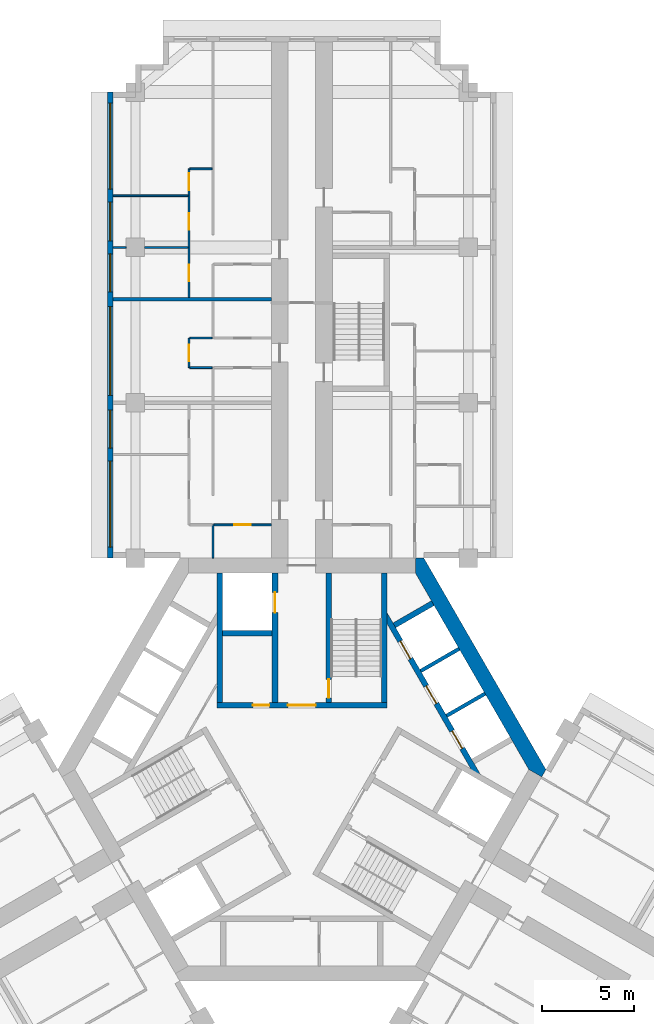
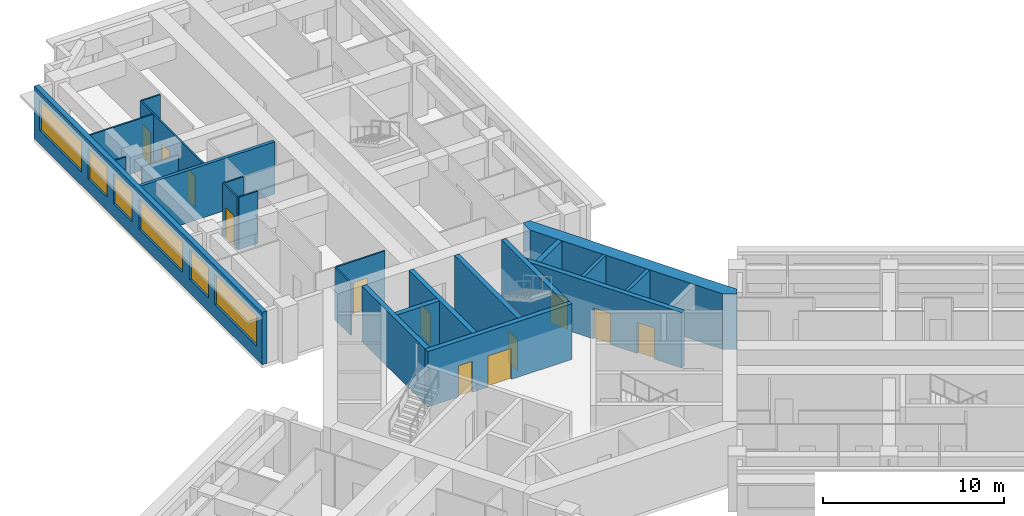
# One storey, part 8 of 14: 23 walls, 12 doors, 6 windows, 18 openings.
"""IFC4 building model written with IfcOpenShell, lengths in metres."""

from ifc_helpers import new_model, si_unit, direction, frame, frame_2d, origin, place, context, subcontext, project, spatial, polyline, rectangle, outline, extrude, material, layer, layer_set, type_object, element, fill, save


model = new_model("IFC4")

# Units and contexts
model_context = context("Model", 3, precision=1e-05, world=origin(), true_north=direction((0.0, 1.0)))
body_context = subcontext(model_context, "Body", "Model", "MODEL_VIEW")
ifc_project = project(units=[si_unit("LENGTHUNIT", "METRE"), si_unit("AREAUNIT", "SQUARE_METRE"), si_unit("VOLUMEUNIT", "CUBIC_METRE"), si_unit("PLANEANGLEUNIT", "RADIAN"), si_unit("MASSUNIT", "GRAM", prefix="KILO")], contexts=[model_context])

# Site, building, storey
site_placement = place(None, origin())
site = spatial("IfcSite", under=ifc_project, at=site_placement, CompositionType="ELEMENT")
building_placement = place(site_placement, origin())
building = spatial("IfcBuilding", under=site, at=building_placement, Name="Impinga Residences", CompositionType="ELEMENT")
storey_placement = place(building_placement, frame((0.0, 0.0, 147.25)))
storey = spatial("IfcBuildingStorey", under=building, at=storey_placement, Name="L36", CompositionType="ELEMENT", Elevation=147.25)

# Wall, openings, windows
ifc_material_1 = material(Name="Terracotta rainscreen on blockwork", Category="masonry")
ifc_layer_1 = layer(ifc_material_1, 0.300048828125)
ifc_layer_set_1 = layer_set([ifc_layer_1], Name="EW1 external wall, terracotta rainscreen on blockwork 300")
wall_type_1 = type_object("IfcWallType", Name="EW1 external wall, terracotta rainscreen on blockwork 300", PredefinedType="SOLIDWALL", material=ifc_layer_set_1)
wall_1_placement = place(storey_placement, frame((-10.35009765625, 11.431640625, 0.0), z_axis=(0.0, 0.0, 1.0), x_axis=(0.0, 1.0, 0.0)))
wall_1 = element("IfcWall", 1, at=wall_1_placement, inside=storey, type_object=wall_type_1, Name="External wall EW1 L36", PredefinedType="SOLIDWALL", context=body_context, shape_type="SweptSolid", body=[
    extrude(rectangle(XDim=25.199951171875, YDim=0.300048828125, at=frame_2d((12.60009765625, 0.0))), origin(), (0.0, 0.0, 1.0), 3.530029296875),
])
opening_1_placement = place(wall_1_placement, frame((0.60009765625, 0.0, 0.89990234375)))
opening_1 = element("IfcOpeningElement", 2, at=opening_1_placement, cuts=wall_1, Name="Opening W10", PredefinedType="OPENING", context=body_context, shape_type="SweptSolid", body=[
    extrude(rectangle(XDim=4.64990234375, YDim=2.050048828125, at=frame_2d((2.324951171875, 1.02490234375))), frame((0.0, 0.159912109375, 0.0), z_axis=(0.0, -1.0, 0.0), x_axis=(1.0, 0.0, 0.0)), (0.0, 0.0, 1.0), 0.320068359375),
])
opening_2_placement = place(wall_1_placement, frame((5.949951171875, 0.0, 0.89990234375)))
opening_2 = element("IfcOpeningElement", 3, at=opening_2_placement, cuts=wall_1, Name="Opening W14", PredefinedType="OPENING", context=body_context, shape_type="SweptSolid", body=[
    extrude(rectangle(XDim=2.050048828125, YDim=2.050048828125, at=frame_2d((1.02490234375, 1.02490234375))), frame((0.0, 0.159912109375, 0.0), z_axis=(0.0, -1.0, 0.0), x_axis=(1.0, 0.0, 0.0)), (0.0, 0.0, 1.0), 0.320068359375),
])
opening_3_placement = place(wall_1_placement, frame((8.800048828125, 0.0, 0.89990234375)))
opening_3 = element("IfcOpeningElement", 4, at=opening_3_placement, cuts=wall_1, Name="Opening W8", PredefinedType="OPENING", context=body_context, shape_type="SweptSolid", body=[
    extrude(rectangle(XDim=4.800048828125, YDim=2.050048828125, at=frame_2d((2.39990234375, 1.02490234375))), frame((0.0, 0.159912109375, 0.0), z_axis=(0.0, -1.0, 0.0), x_axis=(1.0, 0.0, 0.0)), (0.0, 0.0, 1.0), 0.320068359375),
])
opening_4_placement = place(wall_1_placement, frame((14.39990234375, 0.0, 0.89990234375)))
opening_4 = element("IfcOpeningElement", 5, at=opening_4_placement, cuts=wall_1, Name="Opening W14", PredefinedType="OPENING", context=body_context, shape_type="SweptSolid", body=[
    extrude(rectangle(XDim=2.050048828125, YDim=2.050048828125, at=frame_2d((1.02490234375, 1.02490234375))), frame((0.0, 0.159912109375, 0.0), z_axis=(0.0, -1.0, 0.0), x_axis=(1.0, 0.0, 0.0)), (0.0, 0.0, 1.0), 0.320068359375),
])
opening_5_placement = place(wall_1_placement, frame((17.14990234375, 0.0, 0.89990234375)))
opening_5 = element("IfcOpeningElement", 6, at=opening_5_placement, cuts=wall_1, Name="Opening W9", PredefinedType="OPENING", context=body_context, shape_type="SweptSolid", body=[
    extrude(rectangle(XDim=2.10009765625, YDim=2.050048828125, at=frame_2d((1.050048828125, 1.02490234375))), frame((0.0, 0.159912109375, 0.0), z_axis=(0.0, -1.0, 0.0), x_axis=(1.0, 0.0, 0.0)), (0.0, 0.0, 1.0), 0.320068359375),
])
opening_6_placement = place(wall_1_placement, frame((19.949951171875, 0.0, 0.89990234375)))
opening_6 = element("IfcOpeningElement", 7, at=opening_6_placement, cuts=wall_1, Name="Opening W10", PredefinedType="OPENING", context=body_context, shape_type="SweptSolid", body=[
    extrude(rectangle(XDim=4.64990234375, YDim=2.050048828125, at=frame_2d((2.324951171875, 1.02490234375))), frame((0.0, 0.159912109375, 0.0), z_axis=(0.0, -1.0, 0.0), x_axis=(1.0, 0.0, 0.0)), (0.0, 0.0, 1.0), 0.320068359375),
])
ifc_material_2 = material(Name="Aluminium window, clear double glazing", Category="aluminium")
window_type_1 = type_object("IfcWindowType", Name="W10 ribbon window 4650x2050", PartitioningType="SINGLE_PANEL", PredefinedType="WINDOW", material=ifc_material_2)
window_1_placement = place(opening_1_placement, origin())
window_1 = element("IfcWindow", 8, at=window_1_placement, inside=storey, type_object=window_type_1, Name="Window L36", OverallHeight=2.050048828125, OverallWidth=4.64990234375, PartitioningType="SINGLE_PANEL", PredefinedType="WINDOW", context=body_context, shape_type="SweptSolid", body=[
    extrude(rectangle(XDim=4.64990234375, YDim=2.050048828125, at=frame_2d((2.324951171875, 1.02490234375))), frame((0.0, 0.030029296875, 0.0), z_axis=(0.0, -1.0, 0.0), x_axis=(1.0, 0.0, 0.0)), (0.0, 0.0, 1.0), 0.06005859375),
])
fill(opening_1, window_1)
window_2_placement = place(opening_6_placement, origin())
window_2 = element("IfcWindow", 9, at=window_2_placement, inside=storey, type_object=window_type_1, Name="Window L36", OverallHeight=2.050048828125, OverallWidth=4.64990234375, PartitioningType="SINGLE_PANEL", PredefinedType="WINDOW", context=body_context, shape_type="SweptSolid", body=[
    extrude(rectangle(XDim=4.64990234375, YDim=2.050048828125, at=frame_2d((2.324951171875, 1.02490234375))), frame((0.0, 0.030029296875, 0.0), z_axis=(0.0, -1.0, 0.0), x_axis=(1.0, 0.0, 0.0)), (0.0, 0.0, 1.0), 0.06005859375),
])
fill(opening_6, window_2)
window_type_2 = type_object("IfcWindowType", Name="W14 ribbon window 2050x2050", PartitioningType="SINGLE_PANEL", PredefinedType="WINDOW", material=ifc_material_2)
window_3_placement = place(opening_2_placement, origin())
window_3 = element("IfcWindow", 10, at=window_3_placement, inside=storey, type_object=window_type_2, Name="Window L36", OverallHeight=2.050048828125, OverallWidth=2.050048828125, PartitioningType="SINGLE_PANEL", PredefinedType="WINDOW", context=body_context, shape_type="SweptSolid", body=[
    extrude(rectangle(XDim=2.050048828125, YDim=2.050048828125, at=frame_2d((1.02490234375, 1.02490234375))), frame((0.0, 0.030029296875, 0.0), z_axis=(0.0, -1.0, 0.0), x_axis=(1.0, 0.0, 0.0)), (0.0, 0.0, 1.0), 0.06005859375),
])
fill(opening_2, window_3)
window_4_placement = place(opening_4_placement, origin())
window_4 = element("IfcWindow", 11, at=window_4_placement, inside=storey, type_object=window_type_2, Name="Window L36", OverallHeight=2.050048828125, OverallWidth=2.050048828125, PartitioningType="SINGLE_PANEL", PredefinedType="WINDOW", context=body_context, shape_type="SweptSolid", body=[
    extrude(rectangle(XDim=2.050048828125, YDim=2.050048828125, at=frame_2d((1.02490234375, 1.02490234375))), frame((0.0, 0.030029296875, 0.0), z_axis=(0.0, -1.0, 0.0), x_axis=(1.0, 0.0, 0.0)), (0.0, 0.0, 1.0), 0.06005859375),
])
fill(opening_4, window_4)
window_type_3 = type_object("IfcWindowType", Name="W8 ribbon window 4800x2050", PartitioningType="SINGLE_PANEL", PredefinedType="WINDOW", material=ifc_material_2)
window_5_placement = place(opening_3_placement, origin())
window_5 = element("IfcWindow", 12, at=window_5_placement, inside=storey, type_object=window_type_3, Name="Window L36", OverallHeight=2.050048828125, OverallWidth=4.800048828125, PartitioningType="SINGLE_PANEL", PredefinedType="WINDOW", context=body_context, shape_type="SweptSolid", body=[
    extrude(rectangle(XDim=4.800048828125, YDim=2.050048828125, at=frame_2d((2.39990234375, 1.02490234375))), frame((0.0, 0.030029296875, 0.0), z_axis=(0.0, -1.0, 0.0), x_axis=(1.0, 0.0, 0.0)), (0.0, 0.0, 1.0), 0.06005859375),
])
fill(opening_3, window_5)
window_type_4 = type_object("IfcWindowType", Name="W9 ribbon window 2100x2050", PartitioningType="SINGLE_PANEL", PredefinedType="WINDOW", material=ifc_material_2)
window_6_placement = place(opening_5_placement, origin())
window_6 = element("IfcWindow", 13, at=window_6_placement, inside=storey, type_object=window_type_4, Name="Window L36", OverallHeight=2.050048828125, OverallWidth=2.10009765625, PartitioningType="SINGLE_PANEL", PredefinedType="WINDOW", context=body_context, shape_type="SweptSolid", body=[
    extrude(rectangle(XDim=2.10009765625, YDim=2.050048828125, at=frame_2d((1.050048828125, 1.02490234375))), frame((0.0, 0.030029296875, 0.0), z_axis=(0.0, -1.0, 0.0), x_axis=(1.0, 0.0, 0.0)), (0.0, 0.0, 1.0), 0.06005859375),
])
fill(opening_5, window_6)

# Wall
ifc_material_3 = material(Name="Gypsum board on steel studs", Category="steel")
ifc_layer_2 = layer(ifc_material_3, 0.10009765625)
ifc_layer_set_2 = layer_set([ifc_layer_2], Name="Gypsum board on steel studs")
wall_type_2 = type_object("IfcWallType", Name="IP1 partition 100", PredefinedType="PARTITIONING", material=ifc_layer_set_2)
wall_2_placement = place(storey_placement, frame((-4.800048828125, 11.431640625, 0.0), z_axis=(0.0, 0.0, 1.0), x_axis=(0.0, 1.0, 0.0)))
element("IfcWall", 14, at=wall_2_placement, inside=storey, type_object=wall_type_2, Name="Partition L36-NA1:DIV0", PredefinedType="PARTITIONING", context=body_context, shape_type="SweptSolid", body=[
    extrude(rectangle(XDim=1.7998046875, YDim=0.10009765625, at=frame_2d((0.89990234375, 0.0))), origin(), (0.0, 0.0, 1.0), 3.530029296875),
])

# Wall, opening, door
wall_3_placement = place(storey_placement, frame((-1.64990234375, 13.2314453125, 0.0), z_axis=(0.0, 0.0, 1.0), x_axis=(-1.0, 0.0, 0.0)))
wall_3 = element("IfcWall", 15, at=wall_3_placement, inside=storey, type_object=wall_type_2, Name="Partition L36-NA1:IB1", PredefinedType="PARTITIONING", context=body_context, shape_type="SweptSolid", body=[
    extrude(rectangle(XDim=3.10009765625, YDim=0.10009765625, at=frame_2d((1.550048828125, 0.0))), origin(), (0.0, 0.0, 1.0), 3.530029296875),
])
opening_7_placement = place(wall_3_placement, frame((1.10009765625, 0.0, 0.0)))
opening_7 = element("IfcOpeningElement", 16, at=opening_7_placement, cuts=wall_3, Name="Opening D2", PredefinedType="OPENING", context=body_context, shape_type="SweptSolid", body=[
    extrude(rectangle(XDim=0.89990234375, YDim=2.10009765625, at=frame_2d((0.449951171875, 1.050048828125))), frame((0.0, 0.06005859375, 0.0), z_axis=(0.0, -1.0, 0.0), x_axis=(1.0, 0.0, 0.0)), (0.0, 0.0, 1.0), 0.1201171875),
])
ifc_material_4 = material(Name="Timber door set", Category="wood")
door_type_1 = type_object("IfcDoorType", Name="D2 internal door 900x2100", OperationType="SINGLE_SWING_LEFT", PredefinedType="DOOR", material=ifc_material_4)
door_1_placement = place(opening_7_placement, origin())
door_1 = element("IfcDoor", 17, at=door_1_placement, inside=storey, type_object=door_type_1, Name="Apartment L36-NA1 bathroom door", OperationType="SINGLE_SWING_LEFT", OverallHeight=2.10009765625, OverallWidth=0.89990234375, PredefinedType="DOOR", context=body_context, shape_type="SweptSolid", body=[
    extrude(rectangle(XDim=0.89990234375, YDim=2.10009765625, at=frame_2d((0.449951171875, 1.050048828125))), frame((0.0, 0.02490234375, 0.0), z_axis=(0.0, -1.0, 0.0), x_axis=(1.0, 0.0, 0.0)), (0.0, 0.0, 1.0), 0.050048828125),
])
fill(opening_7, door_1)

wall_4_placement = place(storey_placement, frame((-6.10009765625, 21.7314453125, 0.0), z_axis=(0.0, 0.0, 1.0), x_axis=(0.0, 1.0, 0.0)))
wall_4 = element("IfcWall", 18, at=wall_4_placement, inside=storey, type_object=wall_type_2, Name="Partition L36-NA2:STRIP", PredefinedType="PARTITIONING", context=body_context, shape_type="SweptSolid", body=[
    extrude(rectangle(XDim=1.60009765625, YDim=0.10009765625, at=frame_2d((0.800048828125, 0.0))), origin(), (0.0, 0.0, 1.0), 3.530029296875),
])
opening_8_placement = place(wall_4_placement, frame((0.35009765625, 0.0, 0.0)))
opening_8 = element("IfcOpeningElement", 19, at=opening_8_placement, cuts=wall_4, Name="Opening D2", PredefinedType="OPENING", context=body_context, shape_type="SweptSolid", body=[
    extrude(rectangle(XDim=0.89990234375, YDim=2.10009765625, at=frame_2d((0.449951171875, 1.050048828125))), frame((0.0, 0.06005859375, 0.0), z_axis=(0.0, -1.0, 0.0), x_axis=(1.0, 0.0, 0.0)), (0.0, 0.0, 1.0), 0.1201171875),
])
door_2_placement = place(opening_8_placement, origin())
door_2 = element("IfcDoor", 20, at=door_2_placement, inside=storey, type_object=door_type_1, Name="Apartment L36-NA2 room door", OperationType="SINGLE_SWING_LEFT", OverallHeight=2.10009765625, OverallWidth=0.89990234375, PredefinedType="DOOR", context=body_context, shape_type="SweptSolid", body=[
    extrude(rectangle(XDim=0.89990234375, YDim=2.10009765625, at=frame_2d((0.449951171875, 1.050048828125))), frame((0.0, 0.02490234375, 0.0), z_axis=(0.0, -1.0, 0.0), x_axis=(1.0, 0.0, 0.0)), (0.0, 0.0, 1.0), 0.050048828125),
])
fill(opening_8, door_2)

# Walls
for number, where, z_axis, x_axis, name in (
    (21, (-4.85009765625, 21.7314453125, 0.0), (0.0, 0.0, 1.0), (-1.0, 0.0, 0.0), "Partition L36-NA2:SE0"),
    (22, (-4.85009765625, 23.33154296875, 0.0), (0.0, 0.0, 1.0), (-1.0, 0.0, 0.0), "Partition L36-NA2:SE1"),
):
    element("IfcWall", number, at=place(storey_placement, frame(where, z_axis=z_axis, x_axis=x_axis)), inside=storey, type_object=wall_type_2, Name=name, PredefinedType="PARTITIONING", context=body_context, shape_type="SweptSolid", body=[
        extrude(rectangle(XDim=1.199951171875, YDim=0.10009765625, at=frame_2d((0.60009765625, 0.0))), origin(), (0.0, 0.0, 1.0), 3.530029296875),
    ])

# Wall, openings, doors
wall_5_placement = place(storey_placement, frame((-6.10009765625, 25.531494140625, 0.0), z_axis=(0.0, 0.0, 1.0), x_axis=(0.0, 1.0, 0.0)))
wall_5 = element("IfcWall", 23, at=wall_5_placement, inside=storey, type_object=wall_type_2, Name="Partition L36-NA3:STRIP", PredefinedType="PARTITIONING", context=body_context, shape_type="SweptSolid", body=[
    extrude(rectangle(XDim=6.949951171875, YDim=0.10009765625, at=frame_2d((3.47509765625, 0.0))), origin(), (0.0, 0.0, 1.0), 3.530029296875),
])
opening_9_placement = place(wall_5_placement, frame((0.875, 0.0, 0.0)))
opening_9 = element("IfcOpeningElement", 24, at=opening_9_placement, cuts=wall_5, Name="Opening D2", PredefinedType="OPENING", context=body_context, shape_type="SweptSolid", body=[
    extrude(rectangle(XDim=0.89990234375, YDim=2.10009765625, at=frame_2d((0.449951171875, 1.050048828125))), frame((0.0, 0.06005859375, 0.0), z_axis=(0.0, -1.0, 0.0), x_axis=(1.0, 0.0, 0.0)), (0.0, 0.0, 1.0), 0.1201171875),
])
opening_10_placement = place(wall_5_placement, frame((3.64990234375, 0.0, 0.0)))
opening_10 = element("IfcOpeningElement", 25, at=opening_10_placement, cuts=wall_5, Name="Opening D2", PredefinedType="OPENING", context=body_context, shape_type="SweptSolid", body=[
    extrude(rectangle(XDim=0.89990234375, YDim=2.10009765625, at=frame_2d((0.449951171875, 1.050048828125))), frame((0.0, 0.06005859375, 0.0), z_axis=(0.0, -1.0, 0.0), x_axis=(1.0, 0.0, 0.0)), (0.0, 0.0, 1.0), 0.1201171875),
])
opening_11_placement = place(wall_5_placement, frame((5.800048828125, 0.0, 0.0)))
opening_11 = element("IfcOpeningElement", 26, at=opening_11_placement, cuts=wall_5, Name="Opening D2", PredefinedType="OPENING", context=body_context, shape_type="SweptSolid", body=[
    extrude(rectangle(XDim=0.89990234375, YDim=2.10009765625, at=frame_2d((0.449951171875, 1.050048828125))), frame((0.0, 0.06005859375, 0.0), z_axis=(0.0, -1.0, 0.0), x_axis=(1.0, 0.0, 0.0)), (0.0, 0.0, 1.0), 0.1201171875),
])
door_3_placement = place(opening_9_placement, origin())
door_3 = element("IfcDoor", 27, at=door_3_placement, inside=storey, type_object=door_type_1, Name="Apartment L36-NA3 room door", OperationType="SINGLE_SWING_LEFT", OverallHeight=2.10009765625, OverallWidth=0.89990234375, PredefinedType="DOOR", context=body_context, shape_type="SweptSolid", body=[
    extrude(rectangle(XDim=0.89990234375, YDim=2.10009765625, at=frame_2d((0.449951171875, 1.050048828125))), frame((0.0, 0.02490234375, 0.0), z_axis=(0.0, -1.0, 0.0), x_axis=(1.0, 0.0, 0.0)), (0.0, 0.0, 1.0), 0.050048828125),
])
fill(opening_9, door_3)
door_4_placement = place(opening_10_placement, origin())
door_4 = element("IfcDoor", 28, at=door_4_placement, inside=storey, type_object=door_type_1, Name="Apartment L36-NA3 room door", OperationType="SINGLE_SWING_RIGHT", OverallHeight=2.10009765625, OverallWidth=0.89990234375, PredefinedType="DOOR", context=body_context, shape_type="SweptSolid", body=[
    extrude(rectangle(XDim=0.89990234375, YDim=2.10009765625, at=frame_2d((0.449951171875, 1.050048828125))), frame((0.0, 0.02490234375, 0.0), z_axis=(0.0, -1.0, 0.0), x_axis=(1.0, 0.0, 0.0)), (0.0, 0.0, 1.0), 0.050048828125),
])
fill(opening_10, door_4)
door_5_placement = place(opening_11_placement, origin())
door_5 = element("IfcDoor", 29, at=door_5_placement, inside=storey, type_object=door_type_1, Name="Apartment L36-NA3 room door", OperationType="SINGLE_SWING_RIGHT", OverallHeight=2.10009765625, OverallWidth=0.89990234375, PredefinedType="DOOR", context=body_context, shape_type="SweptSolid", body=[
    extrude(rectangle(XDim=0.89990234375, YDim=2.10009765625, at=frame_2d((0.449951171875, 1.050048828125))), frame((0.0, 0.02490234375, 0.0), z_axis=(0.0, -1.0, 0.0), x_axis=(1.0, 0.0, 0.0)), (0.0, 0.0, 1.0), 0.050048828125),
])
fill(opening_11, door_5)

# Walls
wall_6_placement = place(storey_placement, frame((-4.85009765625, 32.4814453125, 0.0), z_axis=(0.0, 0.0, 1.0), x_axis=(-1.0, 0.0, 0.0)))
element("IfcWall", 30, at=wall_6_placement, inside=storey, type_object=wall_type_2, Name="Partition L36-NA3:SE1", PredefinedType="PARTITIONING", context=body_context, shape_type="SweptSolid", body=[
    extrude(rectangle(XDim=1.199951171875, YDim=0.10009765625, at=frame_2d((0.60009765625, 0.0))), origin(), (0.0, 0.0, 1.0), 3.530029296875),
])
wall_7_placement = place(storey_placement, frame((-6.14990234375, 28.2314453125, 0.0), z_axis=(0.0, 0.0, 1.0), x_axis=(-1.0, 0.0, 0.0)))
element("IfcWall", 31, at=wall_7_placement, inside=storey, type_object=wall_type_2, Name="Partition L36-NA3:OB1", PredefinedType="PARTITIONING", context=body_context, shape_type="SweptSolid", body=[
    extrude(rectangle(XDim=2.35009765625, YDim=0.10009765625, at=frame_2d((1.175048828125, 0.0))), origin(), (0.0, 0.0, 1.0), 2.47998046875),
])
wall_8_placement = place(storey_placement, frame((-9.5, 28.2314453125, 0.0), z_axis=(0.0, 0.0, 1.0), x_axis=(-1.0, 0.0, 0.0)))
element("IfcWall", 32, at=wall_8_placement, inside=storey, type_object=wall_type_2, Name="Partition L36-NA3:OB1b", PredefinedType="PARTITIONING", context=body_context, shape_type="SweptSolid", body=[
    extrude(rectangle(XDim=0.699951171875, YDim=0.10009765625, at=frame_2d((0.35009765625, 0.0))), origin(), (0.0, 0.0, 1.0), 3.530029296875),
])
wall_9_placement = place(storey_placement, frame((-6.14990234375, 31.031494140625, 0.0), z_axis=(0.0, 0.0, 1.0), x_axis=(-1.0, 0.0, 0.0)))
element("IfcWall", 33, at=wall_9_placement, inside=storey, type_object=wall_type_2, Name="Partition L36-NA3:OB2", PredefinedType="PARTITIONING", context=body_context, shape_type="SweptSolid", body=[
    extrude(rectangle(XDim=4.050048828125, YDim=0.10009765625, at=frame_2d((2.02490234375, 0.0))), origin(), (0.0, 0.0, 1.0), 3.530029296875),
])
ifc_material_5 = material(Name="Concrete blockwork", Category="masonry")
ifc_layer_3 = layer(ifc_material_5, 0.199951171875)
ifc_layer_set_3 = layer_set([ifc_layer_3], Name="PW1 party wall between apartments 200")
wall_type_3 = type_object("IfcWallType", Name="PW1 party wall between apartments 200", PredefinedType="SOLIDWALL", material=ifc_layer_set_3)
wall_10_placement = place(storey_placement, frame((-1.64990234375, 25.431640625, 0.0), z_axis=(0.0, 0.0, 1.0), x_axis=(-1.0, 0.0, 0.0)))
element("IfcWall", 34, at=wall_10_placement, inside=storey, type_object=wall_type_3, Name="Party wall between apartments L36-NA2:PARTY", PredefinedType="SOLIDWALL", context=body_context, shape_type="SweptSolid", body=[
    extrude(rectangle(XDim=8.550048828125, YDim=0.199951171875, at=frame_2d((4.27490234375, 0.0))), origin(), (0.0, 0.0, 1.0), 3.530029296875),
])
ifc_material_6 = material(Name="Concrete C60/75", Category="concrete")
ifc_layer_4 = layer(ifc_material_6, 0.800048828125)
ifc_layer_set_4 = layer_set([ifc_layer_4], Name="Concrete C60/75")
wall_type_4 = type_object("IfcWallType", Name="SW2 core wall 800", PredefinedType="SHEAR", material=ifc_layer_set_4)
wall_11_placement = place(storey_placement, origin())
element("IfcWall", 35, at=wall_11_placement, inside=storey, type_object=wall_type_4, Name="Core wall SW2 W:EXPOSED L36", PredefinedType="SHEAR", context=body_context, shape_type="SweptSolid", body=[
    extrude(outline(polyline([(13.199951171875, 0.0), (6.60009765625, 11.431640625), (6.13818359375, 11.431640625), (6.13818359375, 10.631591796875), (12.276123046875, 0.0), (12.968994140625, -0.39990234375), (13.199951171875, 0.0)])), origin(), (0.0, 0.0, 1.0), 3.75),
])

# Wall, openings, doors
ifc_material_7 = material(Name="Concrete C70/85", Category="concrete")
ifc_layer_5 = layer(ifc_material_7, 0.300048828125)
ifc_layer_set_5 = layer_set([ifc_layer_5], Name="Concrete C70/85")
wall_type_5 = type_object("IfcWallType", Name="SW5 core inner wall, stairs, shafts and lobbies 300", PredefinedType="SHEAR", material=ifc_layer_set_5)
wall_12_placement = place(storey_placement, frame((-4.60009765625, 3.47998046875, 0.0), z_axis=(0.0, 0.0, 1.0), x_axis=(1.0, 0.0, 0.0)))
wall_12 = element("IfcWall", 36, at=wall_12_placement, inside=storey, type_object=wall_type_5, Name="Core wall SW5 N:ZONE L36", PredefinedType="SHEAR", context=body_context, shape_type="SweptSolid", body=[
    extrude(rectangle(XDim=9.2001953125, YDim=0.300048828125, at=frame_2d((4.60009765625, 0.0))), origin(), (0.0, 0.0, 1.0), 3.75),
])
opening_12_placement = place(wall_12_placement, frame((3.85009765625, 0.0, 0.0)))
opening_12 = element("IfcOpeningElement", 37, at=opening_12_placement, cuts=wall_12, Name="Opening D4", PredefinedType="OPENING", context=body_context, shape_type="SweptSolid", body=[
    extrude(rectangle(XDim=1.5, YDim=2.10009765625, at=frame_2d((0.75, 1.050048828125))), frame((0.0, 0.159912109375, 0.0), z_axis=(0.0, -1.0, 0.0), x_axis=(1.0, 0.0, 0.0)), (0.0, 0.0, 1.0), 0.320068359375),
])
opening_13_placement = place(wall_12_placement, frame((1.949951171875, 0.0, 0.0)))
opening_13 = element("IfcOpeningElement", 38, at=opening_13_placement, cuts=wall_12, Name="Opening D6", PredefinedType="OPENING", context=body_context, shape_type="SweptSolid", body=[
    extrude(rectangle(XDim=0.89990234375, YDim=2.10009765625, at=frame_2d((0.449951171875, 1.050048828125))), frame((0.0, 0.159912109375, 0.0), z_axis=(0.0, -1.0, 0.0), x_axis=(1.0, 0.0, 0.0)), (0.0, 0.0, 1.0), 0.320068359375),
])
door_type_2 = type_object("IfcDoorType", Name="D4 lobby door pair 1500x2100", OperationType="DOUBLE_DOOR_DOUBLE_SWING", PredefinedType="DOOR", material=ifc_material_4)
door_6_placement = place(opening_12_placement, origin())
door_6 = element("IfcDoor", 39, at=door_6_placement, inside=storey, type_object=door_type_2, Name="Firefighting lobby door N", OperationType="DOUBLE_DOOR_DOUBLE_SWING", OverallHeight=2.10009765625, OverallWidth=1.5, PredefinedType="DOOR", context=body_context, shape_type="SweptSolid", body=[
    extrude(rectangle(XDim=1.5, YDim=2.10009765625, at=frame_2d((0.75, 1.050048828125))), frame((0.0, 0.02490234375, 0.0), z_axis=(0.0, -1.0, 0.0), x_axis=(1.0, 0.0, 0.0)), (0.0, 0.0, 1.0), 0.050048828125),
])
fill(opening_12, door_6)
door_type_3 = type_object("IfcDoorType", Name="D6 riser and store door 900x2100", OperationType="SINGLE_SWING_LEFT", PredefinedType="DOOR", material=ifc_material_4)
door_7_placement = place(opening_13_placement, origin())
door_7 = element("IfcDoor", 40, at=door_7_placement, inside=storey, type_object=door_type_3, Name="Riser door N", OperationType="SINGLE_SWING_LEFT", OverallHeight=2.10009765625, OverallWidth=0.89990234375, PredefinedType="DOOR", context=body_context, shape_type="SweptSolid", body=[
    extrude(rectangle(XDim=0.89990234375, YDim=2.10009765625, at=frame_2d((0.449951171875, 1.050048828125))), frame((0.0, 0.02490234375, 0.0), z_axis=(0.0, -1.0, 0.0), x_axis=(1.0, 0.0, 0.0)), (0.0, 0.0, 1.0), 0.050048828125),
])
fill(opening_13, door_7)

# Wall, opening, door
wall_13_placement = place(storey_placement, frame((1.449951171875, 3.6298828125, 0.0), z_axis=(0.0, 0.0, 1.0), x_axis=(0.0, 1.0, 0.0)))
wall_13 = element("IfcWall", 41, at=wall_13_placement, inside=storey, type_object=wall_type_5, Name="Core wall SW5 N:ST-IN L36", PredefinedType="SHEAR", context=body_context, shape_type="SweptSolid", body=[
    extrude(rectangle(XDim=7.001708984375, YDim=0.300048828125, at=frame_2d((3.5009765625, 0.0))), origin(), (0.0, 0.0, 1.0), 3.75),
])
opening_14_placement = place(wall_13_placement, frame((0.25, 0.0, 0.0)))
opening_14 = element("IfcOpeningElement", 42, at=opening_14_placement, cuts=wall_13, Name="Opening D5", PredefinedType="OPENING", context=body_context, shape_type="SweptSolid", body=[
    extrude(rectangle(XDim=1.0, YDim=2.10009765625, at=frame_2d((0.5, 1.050048828125))), frame((0.0, 0.159912109375, 0.0), z_axis=(0.0, -1.0, 0.0), x_axis=(1.0, 0.0, 0.0)), (0.0, 0.0, 1.0), 0.320068359375),
])
door_type_4 = type_object("IfcDoorType", Name="D5 stair door 1000x2100", OperationType="SINGLE_SWING_LEFT", PredefinedType="DOOR", material=ifc_material_4)
door_8_placement = place(opening_14_placement, origin())
door_8 = element("IfcDoor", 43, at=door_8_placement, inside=storey, type_object=door_type_4, Name="Stair door N", OperationType="SINGLE_SWING_LEFT", OverallHeight=2.10009765625, OverallWidth=1.0, PredefinedType="DOOR", context=body_context, shape_type="SweptSolid", body=[
    extrude(rectangle(XDim=1.0, YDim=2.10009765625, at=frame_2d((0.5, 1.050048828125))), frame((0.0, 0.02490234375, 0.0), z_axis=(0.0, -1.0, 0.0), x_axis=(1.0, 0.0, 0.0)), (0.0, 0.0, 1.0), 0.050048828125),
])
fill(opening_14, door_8)

# Wall
wall_14_placement = place(storey_placement, frame((4.449951171875, 3.6298828125, 0.0), z_axis=(0.0, 0.0, 1.0), x_axis=(0.0, 1.0, 0.0)))
element("IfcWall", 44, at=wall_14_placement, inside=storey, type_object=wall_type_5, Name="Core wall SW5 N:ST-OUT L36", PredefinedType="SHEAR", context=body_context, shape_type="SweptSolid", body=[
    extrude(rectangle(XDim=7.001708984375, YDim=0.300048828125, at=frame_2d((3.5009765625, 0.0))), origin(), (0.0, 0.0, 1.0), 3.75),
])

# Wall, opening, door
wall_15_placement = place(storey_placement, frame((-1.449951171875, 3.6298828125, 0.0), z_axis=(0.0, 0.0, 1.0), x_axis=(0.0, 1.0, 0.0)))
wall_15 = element("IfcWall", 45, at=wall_15_placement, inside=storey, type_object=wall_type_5, Name="Core wall SW5 N:FF-IN L36", PredefinedType="SHEAR", context=body_context, shape_type="SweptSolid", body=[
    extrude(rectangle(XDim=7.001708984375, YDim=0.300048828125, at=frame_2d((3.5009765625, 0.0))), origin(), (0.0, 0.0, 1.0), 3.75),
])
opening_15_placement = place(wall_15_placement, frame((4.85009765625, 0.0, 0.0)))
opening_15 = element("IfcOpeningElement", 46, at=opening_15_placement, cuts=wall_15, Name="Opening LD2", PredefinedType="OPENING", context=body_context, shape_type="SweptSolid", body=[
    extrude(rectangle(XDim=1.10009765625, YDim=2.10009765625, at=frame_2d((0.550048828125, 1.050048828125))), frame((0.0, 0.159912109375, 0.0), z_axis=(0.0, -1.0, 0.0), x_axis=(1.0, 0.0, 0.0)), (0.0, 0.0, 1.0), 0.320068359375),
])
ifc_material_8 = material(Name="Steel lift landing door", Category="steel")
door_type_5 = type_object("IfcDoorType", Name="LD2 firefighting lift landing door 1100x2100", OperationType="DOUBLE_DOOR_SLIDING", PredefinedType="DOOR", material=ifc_material_8)
door_9_placement = place(opening_15_placement, origin())
door_9 = element("IfcDoor", 47, at=door_9_placement, inside=storey, type_object=door_type_5, Name="Firefighting lift landing door F1", OperationType="DOUBLE_DOOR_SLIDING", OverallHeight=2.10009765625, OverallWidth=1.10009765625, PredefinedType="DOOR", context=body_context, shape_type="SweptSolid", body=[
    extrude(rectangle(XDim=1.10009765625, YDim=2.10009765625, at=frame_2d((0.550048828125, 1.050048828125))), frame((0.0, 0.02490234375, 0.0), z_axis=(0.0, -1.0, 0.0), x_axis=(1.0, 0.0, 0.0)), (0.0, 0.0, 1.0), 0.050048828125),
])
fill(opening_15, door_9)

# Walls
wall_16_placement = place(storey_placement, frame((-4.449951171875, 3.6298828125, 0.0), z_axis=(0.0, 0.0, 1.0), x_axis=(0.0, 1.0, 0.0)))
element("IfcWall", 48, at=wall_16_placement, inside=storey, type_object=wall_type_5, Name="Core wall SW5 N:FF-OUT L36", PredefinedType="SHEAR", context=body_context, shape_type="SweptSolid", body=[
    extrude(rectangle(XDim=7.001708984375, YDim=0.300048828125, at=frame_2d((3.5009765625, 0.0))), origin(), (0.0, 0.0, 1.0), 3.75),
])
wall_17_placement = place(storey_placement, frame((-4.300048828125, 7.3798828125, 0.0), z_axis=(0.0, 0.0, 1.0), x_axis=(1.0, 0.0, 0.0)))
element("IfcWall", 49, at=wall_17_placement, inside=storey, type_object=wall_type_5, Name="Core wall SW5 N:FF-RS L36", PredefinedType="SHEAR", context=body_context, shape_type="SweptSolid", body=[
    extrude(rectangle(XDim=2.699951171875, YDim=0.300048828125, at=frame_2d((1.35009765625, 0.0))), origin(), (0.0, 0.0, 1.0), 3.75),
])

# Wall, openings, doors
wall_18_placement = place(storey_placement, frame((4.449951171875, 8.455322265625, 0.0), z_axis=(0.0, 0.0, 1.0), x_axis=(0.500002290144, -0.866024081565, 0.0)))
wall_18 = element("IfcWall", 50, at=wall_18_placement, inside=storey, type_object=wall_type_5, Name="Core wall SW5 W:BANK-FRONT L36", PredefinedType="SHEAR", context=body_context, shape_type="SweptSolid", body=[
    extrude(rectangle(XDim=10.1953125, YDim=0.300048828125, at=frame_2d((5.09765625, 0.0))), origin(), (0.0, 0.0, 1.0), 3.75),
])
opening_16_placement = place(wall_18_placement, frame((1.74755859375, 0.0, 0.0)))
opening_16 = element("IfcOpeningElement", 51, at=opening_16_placement, cuts=wall_18, Name="Opening LD1", PredefinedType="OPENING", context=body_context, shape_type="SweptSolid", body=[
    extrude(rectangle(XDim=1.10009765625, YDim=2.10009765625, at=frame_2d((0.550048828125, 1.050048828125))), frame((0.0, 0.159912109375, 0.0), z_axis=(0.0, -1.0, 0.0), x_axis=(1.0, 0.0, 0.0)), (0.0, 0.0, 1.0), 0.320068359375),
])
opening_17_placement = place(wall_18_placement, frame((4.547607421875, 0.0, 0.0)))
opening_17 = element("IfcOpeningElement", 52, at=opening_17_placement, cuts=wall_18, Name="Opening LD1", PredefinedType="OPENING", context=body_context, shape_type="SweptSolid", body=[
    extrude(rectangle(XDim=1.10009765625, YDim=2.10009765625, at=frame_2d((0.550048828125, 1.050048828125))), frame((0.0, 0.159912109375, 0.0), z_axis=(0.0, -1.0, 0.0), x_axis=(1.0, 0.0, 0.0)), (0.0, 0.0, 1.0), 0.320068359375),
])
opening_18_placement = place(wall_18_placement, frame((7.34765625, 0.0, 0.0)))
opening_18 = element("IfcOpeningElement", 53, at=opening_18_placement, cuts=wall_18, Name="Opening LD1", PredefinedType="OPENING", context=body_context, shape_type="SweptSolid", body=[
    extrude(rectangle(XDim=1.10009765625, YDim=2.10009765625, at=frame_2d((0.550048828125, 1.050048828125))), frame((0.0, 0.159912109375, 0.0), z_axis=(0.0, -1.0, 0.0), x_axis=(1.0, 0.0, 0.0)), (0.0, 0.0, 1.0), 0.320068359375),
])
door_type_6 = type_object("IfcDoorType", Name="LD1 passenger lift landing door 1100x2100", OperationType="DOUBLE_DOOR_SLIDING", PredefinedType="DOOR", material=ifc_material_8)
door_10_placement = place(opening_16_placement, origin())
door_10 = element("IfcDoor", 54, at=door_10_placement, inside=storey, type_object=door_type_6, Name="Lift landing door P4", OperationType="DOUBLE_DOOR_SLIDING", OverallHeight=2.10009765625, OverallWidth=1.10009765625, PredefinedType="DOOR", context=body_context, shape_type="SweptSolid", body=[
    extrude(rectangle(XDim=1.10009765625, YDim=2.10009765625, at=frame_2d((0.550048828125, 1.050048828125))), frame((0.0, 0.02490234375, 0.0), z_axis=(0.0, -1.0, 0.0), x_axis=(1.0, 0.0, 0.0)), (0.0, 0.0, 1.0), 0.050048828125),
])
fill(opening_16, door_10)
door_11_placement = place(opening_17_placement, origin())
door_11 = element("IfcDoor", 55, at=door_11_placement, inside=storey, type_object=door_type_6, Name="Lift landing door P5", OperationType="DOUBLE_DOOR_SLIDING", OverallHeight=2.10009765625, OverallWidth=1.10009765625, PredefinedType="DOOR", context=body_context, shape_type="SweptSolid", body=[
    extrude(rectangle(XDim=1.10009765625, YDim=2.10009765625, at=frame_2d((0.550048828125, 1.050048828125))), frame((0.0, 0.02490234375, 0.0), z_axis=(0.0, -1.0, 0.0), x_axis=(1.0, 0.0, 0.0)), (0.0, 0.0, 1.0), 0.050048828125),
])
fill(opening_17, door_11)
door_12_placement = place(opening_18_placement, origin())
door_12 = element("IfcDoor", 56, at=door_12_placement, inside=storey, type_object=door_type_6, Name="Lift landing door P6", OperationType="DOUBLE_DOOR_SLIDING", OverallHeight=2.10009765625, OverallWidth=1.10009765625, PredefinedType="DOOR", context=body_context, shape_type="SweptSolid", body=[
    extrude(rectangle(XDim=1.10009765625, YDim=2.10009765625, at=frame_2d((0.550048828125, 1.050048828125))), frame((0.0, 0.02490234375, 0.0), z_axis=(0.0, -1.0, 0.0), x_axis=(1.0, 0.0, 0.0)), (0.0, 0.0, 1.0), 0.050048828125),
])
fill(opening_18, door_12)

# Walls
wall_19_placement = place(storey_placement, frame((5.003662109375, 7.79638671875, 0.0), z_axis=(0.0, 0.0, 1.0), x_axis=(0.866050077142, 0.499957262057, 0.0)))
element("IfcWall", 57, at=wall_19_placement, inside=storey, type_object=wall_type_5, Name="Core wall SW5 W:BANK-L L36", PredefinedType="SHEAR", context=body_context, shape_type="SweptSolid", body=[
    extrude(rectangle(XDim=2.400146484375, YDim=0.300048828125, at=frame_2d((1.2001953125, 0.0))), origin(), (0.0, 0.0, 1.0), 3.75),
])
ifc_layer_6 = layer(ifc_material_7, 0.199951171875)
ifc_layer_set_6 = layer_set([ifc_layer_6], Name="Concrete C70/85")
wall_type_6 = type_object("IfcWallType", Name="SW6 lift shaft divider wall 200", PredefinedType="SHEAR", material=ifc_layer_set_6)
wall_20_placement = place(storey_placement, frame((6.4287109375, 5.328125, 0.0), z_axis=(0.0, 0.0, 1.0), x_axis=(0.865980596518, 0.500077600433, 0.0)))
element("IfcWall", 58, at=wall_20_placement, inside=storey, type_object=wall_type_6, Name="Core wall SW6 W:BANK-D1 L36", PredefinedType="SHEAR", context=body_context, shape_type="SweptSolid", body=[
    extrude(rectangle(XDim=2.39990234375, YDim=0.199951171875, at=frame_2d((1.199951171875, 0.0))), origin(), (0.0, 0.0, 1.0), 3.75),
])
wall_21_placement = place(storey_placement, frame((7.82861328125, 2.9033203125, 0.0), z_axis=(0.0, 0.0, 1.0), x_axis=(0.866050077142, 0.499957262057, 0.0)))
element("IfcWall", 59, at=wall_21_placement, inside=storey, type_object=wall_type_6, Name="Core wall SW6 W:BANK-D2 L36", PredefinedType="SHEAR", context=body_context, shape_type="SweptSolid", body=[
    extrude(rectangle(XDim=2.400146484375, YDim=0.199951171875, at=frame_2d((1.2001953125, 0.0))), origin(), (0.0, 0.0, 1.0), 3.75),
])

save(model, "model.ifc")
